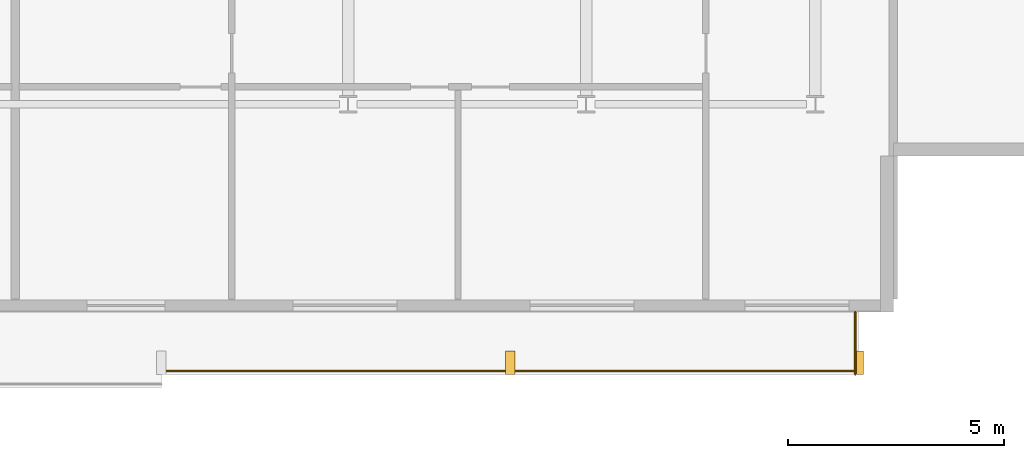
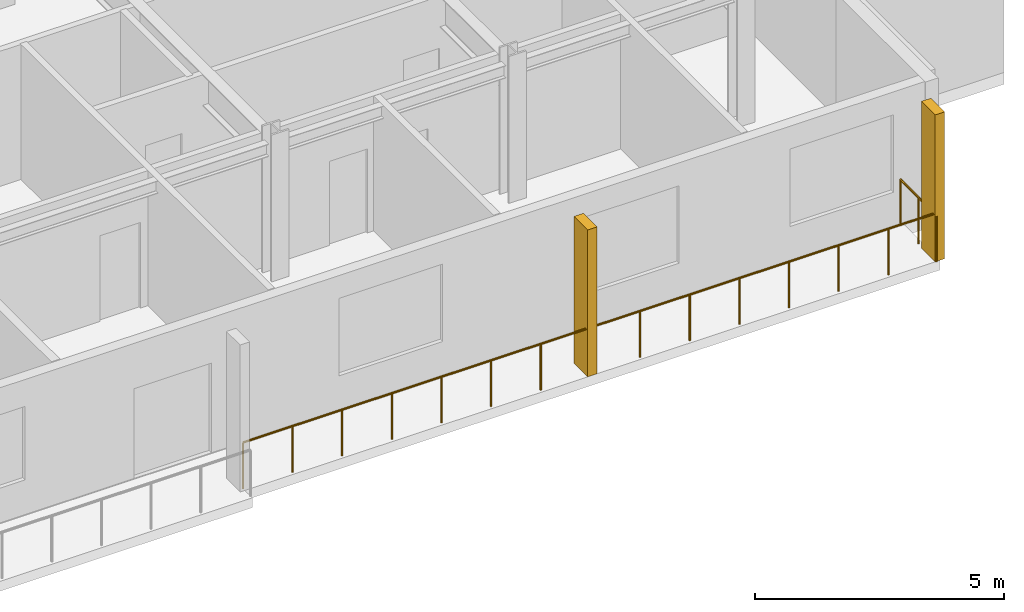
# One storey, part 34 of 36: 2 railings, 2 shading devices.
"""IFC4 building model written with IfcOpenShell, lengths in metres."""

from ifc_helpers import new_model, si_unit, direction, frame, origin, origin_2d, place, context, subcontext, project, spatial, rectangle, circle, extrude, material, type_object, element, save


model = new_model("IFC4")

# Units and contexts
model_context = context("Model", 3, precision=1e-05, world=origin(), true_north=direction((0.0, 1.0)))
body_context = subcontext(model_context, "Body", "Model", "MODEL_VIEW")
ifc_project = project(units=[si_unit("LENGTHUNIT", "METRE"), si_unit("AREAUNIT", "SQUARE_METRE"), si_unit("VOLUMEUNIT", "CUBIC_METRE"), si_unit("PLANEANGLEUNIT", "RADIAN"), si_unit("MASSUNIT", "GRAM", prefix="KILO")], contexts=[model_context])

# Site, building, storey
site_placement = place(None, origin())
site = spatial("IfcSite", under=ifc_project, at=site_placement, CompositionType="ELEMENT")
building_placement = place(site_placement, origin())
building = spatial("IfcBuilding", under=site, at=building_placement, Name="Korimba Cascade Residences", CompositionType="ELEMENT")
storey_placement = place(building_placement, frame((0.0, 0.0, 142.89990234375)))
storey = spatial("IfcBuildingStorey", under=building, at=storey_placement, Name="L41", CompositionType="ELEMENT", Elevation=142.89990234375)

# Railings
ifc_material_1 = material(Name="Laminated Glass and Bronze Balustrade", Category="glass")
railing_type = type_object("IfcRailingType", Name="RLG-LOG-1150", PredefinedType="BALUSTRADE", material=ifc_material_1)
railing_1_placement = place(storey_placement, frame((113.78564453125, -10.3701171875, 0.0)))
element("IfcRailing", 1, at=railing_1_placement, inside=storey, type_object=railing_type, Name="L41 Perimeter Guardrail RLG-L41-T2-LOG-06", PredefinedType="BALUSTRADE", context=body_context, shape_type="SweptSolid", body=[
    extrude(circle(Radius=0.02392578125, at=origin_2d()), frame((0.0, 0.0, 1.1259765625), z_axis=(1.0, 0.0, 0.0), x_axis=(0.0, 1.0, 0.0)), (0.0, 0.0, 1.0), 16.1142578125),
    extrude(circle(Radius=0.02099609375, at=origin_2d()), origin(), (0.0, 0.0, 1.0), 1.101806640625),
    extrude(circle(Radius=0.02099609375, at=origin_2d()), frame((1.151123046875, 0.0, 0.0)), (0.0, 0.0, 1.0), 1.101806640625),
    extrude(circle(Radius=0.02099609375, at=origin_2d()), frame((2.302001953125, 0.0, 0.0)), (0.0, 0.0, 1.0), 1.101806640625),
    extrude(circle(Radius=0.02099609375, at=origin_2d()), frame((3.453125, 0.0, 0.0)), (0.0, 0.0, 1.0), 1.101806640625),
    extrude(circle(Radius=0.02099609375, at=origin_2d()), frame((4.60400390625, 0.0, 0.0)), (0.0, 0.0, 1.0), 1.101806640625),
    extrude(circle(Radius=0.02099609375, at=origin_2d()), frame((5.755126953125, 0.0, 0.0)), (0.0, 0.0, 1.0), 1.101806640625),
    extrude(circle(Radius=0.02099609375, at=origin_2d()), frame((6.906005859375, 0.0, 0.0)), (0.0, 0.0, 1.0), 1.101806640625),
    extrude(circle(Radius=0.02099609375, at=origin_2d()), frame((8.05712890625, 0.0, 0.0)), (0.0, 0.0, 1.0), 1.101806640625),
    extrude(circle(Radius=0.02099609375, at=origin_2d()), frame((9.208251953125, 0.0, 0.0)), (0.0, 0.0, 1.0), 1.101806640625),
    extrude(circle(Radius=0.02099609375, at=origin_2d()), frame((10.359130859375, 0.0, 0.0)), (0.0, 0.0, 1.0), 1.101806640625),
    extrude(circle(Radius=0.02099609375, at=origin_2d()), frame((11.51025390625, 0.0, 0.0)), (0.0, 0.0, 1.0), 1.101806640625),
    extrude(circle(Radius=0.02099609375, at=origin_2d()), frame((12.6611328125, 0.0, 0.0)), (0.0, 0.0, 1.0), 1.101806640625),
    extrude(circle(Radius=0.02099609375, at=origin_2d()), frame((13.812255859375, 0.0, 0.0)), (0.0, 0.0, 1.0), 1.101806640625),
    extrude(circle(Radius=0.02099609375, at=origin_2d()), frame((14.963134765625, 0.0, 0.0)), (0.0, 0.0, 1.0), 1.101806640625),
    extrude(circle(Radius=0.02099609375, at=origin_2d()), frame((16.1142578125, 0.0, 0.0)), (0.0, 0.0, 1.0), 1.101806640625),
])
railing_2_placement = place(storey_placement, frame((129.820068359375, -10.449951171875, 0.0)))
element("IfcRailing", 2, at=railing_2_placement, inside=storey, type_object=railing_type, Name="L41 Perimeter Guardrail RLG-L41-T2-LOG-07", PredefinedType="BALUSTRADE", context=body_context, shape_type="SweptSolid", body=[
    extrude(circle(Radius=0.02392578125, at=origin_2d()), frame((0.0, 0.0, 1.1259765625), z_axis=(0.0, 1.0, 0.0), x_axis=(-1.0, 0.0, 0.0)), (0.0, 0.0, 1.0), 1.449951171875),
    extrude(circle(Radius=0.02099609375, at=origin_2d()), origin(), (0.0, 0.0, 1.0), 1.101806640625),
    extrude(circle(Radius=0.02099609375, at=origin_2d()), frame((0.0, 0.72509765625, 0.0)), (0.0, 0.0, 1.0), 1.101806640625),
    extrude(circle(Radius=0.02099609375, at=origin_2d()), frame((0.0, 1.449951171875, 0.0)), (0.0, 0.0, 1.0), 1.101806640625),
])

# Shading devices
ifc_material_2 = material(Name="Honed Sandstone Precast Fin", Category="masonry")
shading_device_type = type_object("IfcShadingDeviceType", Name="SHD-FIN-550", PredefinedType="USERDEFINED", material=ifc_material_2)
for number, where, z_axis, x_axis, name in (
    (3, (121.843017578125, -10.175048828125, 0.0), (0.0, 0.0, 1.0), (1.0, 0.0, 0.0), "L41 T2 Warm-Stone Loggia Fin 7"),
    (4, (129.89990234375, -10.175048828125, 0.0), (0.0, 0.0, 1.0), (1.0, 0.0, 0.0), "L41 T2 Warm-Stone Loggia Fin 8"),
):
    element("IfcShadingDevice", number, at=place(storey_placement, frame(where, z_axis=z_axis, x_axis=x_axis)), inside=storey, type_object=shading_device_type, Name=name, ObjectType="FIN", PredefinedType="USERDEFINED", context=body_context, shape_type="SweptSolid", body=[
        extrude(rectangle(XDim=0.219970703125, YDim=0.550048828125, at=origin_2d()), origin(), (0.0, 0.0, 1.0), 3.60009765625),
    ])

save(model, "model.ifc")
